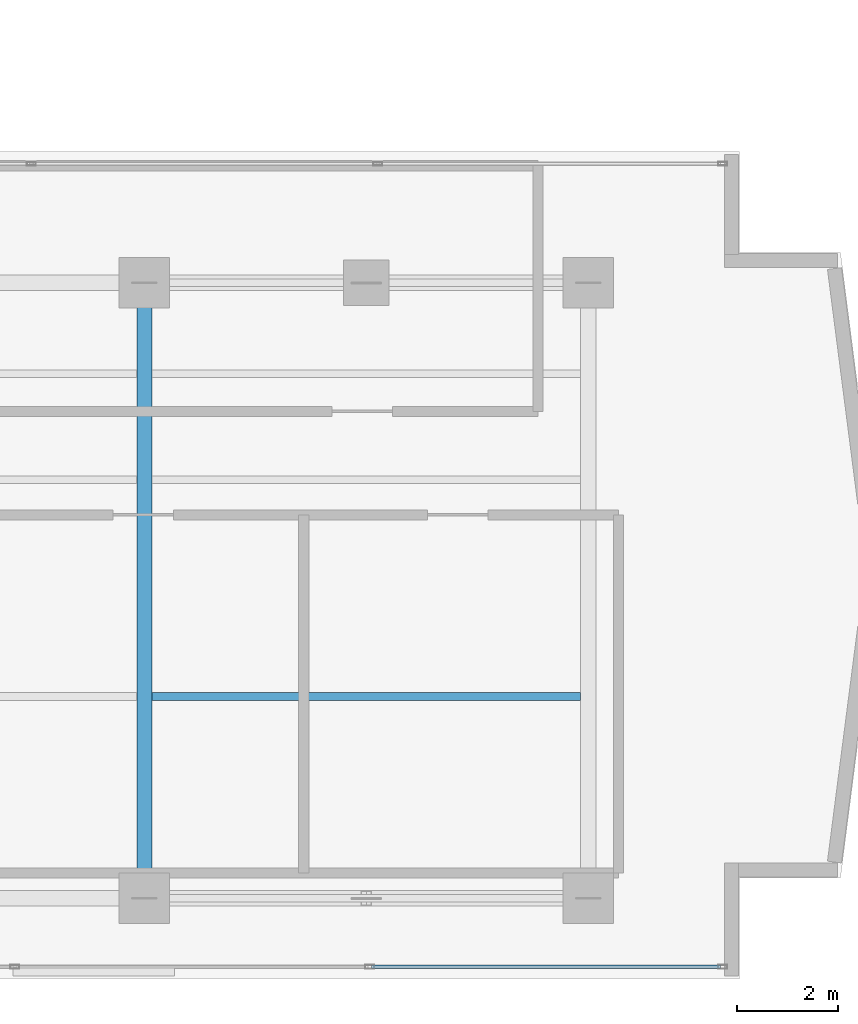
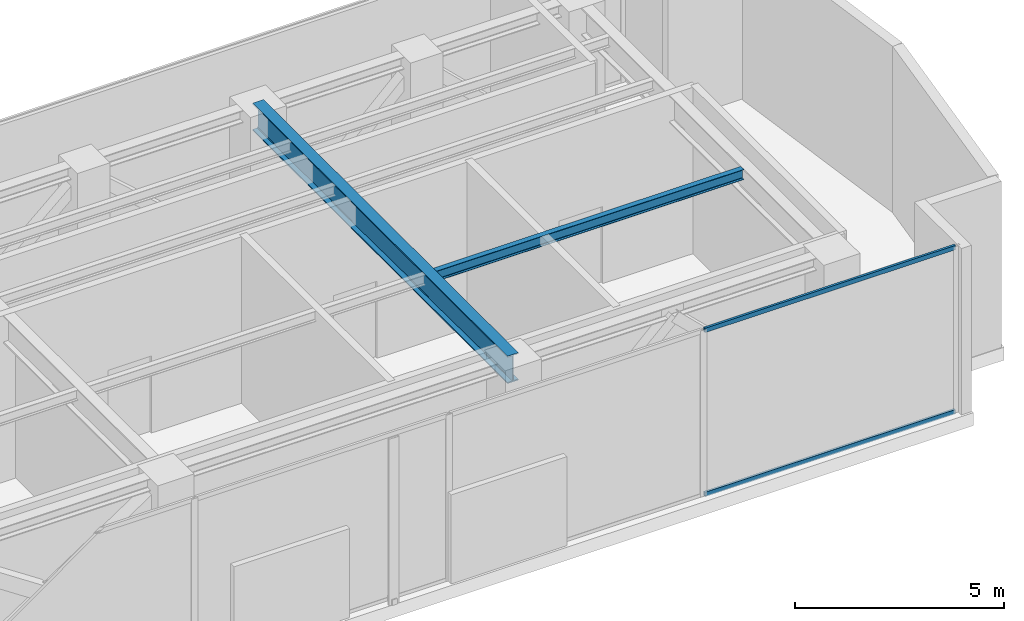
# One storey, part 16 of 31: 2 beams, 2 members, 1 element without a shape of its own.
"""IFC4 building model written with IfcOpenShell, lengths in metres."""

from ifc_helpers import new_model, si_unit, direction, frame, origin, origin_with_axes, origin_2d, place, context, subcontext, project, spatial, hollow_rectangle, i_section, extrude, source, transform, mapped, material, layer, layer_set, material_profile, profile_set, type_object, element, aggregate, save


model = new_model("IFC4")

# Units and contexts
model_context = context("Model", 3, precision=1e-05, world=origin(), true_north=direction((0.0, 1.0)))
body_context = subcontext(model_context, "Body", "Model", "MODEL_VIEW")
ifc_project = project(units=[si_unit("LENGTHUNIT", "METRE"), si_unit("AREAUNIT", "SQUARE_METRE"), si_unit("VOLUMEUNIT", "CUBIC_METRE"), si_unit("PLANEANGLEUNIT", "RADIAN"), si_unit("MASSUNIT", "GRAM", prefix="KILO")], contexts=[model_context])

# Site, building, storey
site_placement = place(None, origin())
site = spatial("IfcSite", under=ifc_project, at=site_placement, CompositionType="ELEMENT")
building_placement = place(site_placement, origin())
building = spatial("IfcBuilding", under=site, at=building_placement, Name="Kolvaren Waterfront Exchange", CompositionType="ELEMENT")
storey_placement = place(building_placement, frame((0.0, 0.0, 257.699951171875)))
storey = spatial("IfcBuildingStorey", under=building, at=storey_placement, Name="L66", CompositionType="ELEMENT", Elevation=257.699951171875)

# Beams
ifc_material_1 = material(Name="Steel S355", Category="steel")
ifc_material_profile_1 = material_profile(ifc_material_1, i_section(OverallWidth=0.300048828125, OverallDepth=0.800048828125, WebThickness=0.017578125, FlangeThickness=0.032958984375, FilletRadius=0.030029296875, at=origin_2d()), Name="HEB800")
ifc_profile_set_1 = profile_set([ifc_material_profile_1], Name="Steel S355")
beam_type_1 = type_object("IfcBeamType", Name="STR-BM-HEB800", PredefinedType="BEAM", material=ifc_profile_set_1)
beam_1_placement = place(storey_placement, frame((36.800048828125, 5.199951171875, 4.4599609375), z_axis=(0.0, 1.0, 0.0), x_axis=(-1.0, 0.0, 0.0)))
element("IfcBeam", 1, at=beam_1_placement, inside=storey, type_object=beam_type_1, Name="L66 east-arm transverse girder X36", PredefinedType="BEAM", context=body_context, shape_type="SweptSolid", body=[
    extrude(i_section(OverallWidth=0.300048828125, OverallDepth=0.800048828125, WebThickness=0.017578125, FlangeThickness=0.032958984375, FilletRadius=0.030029296875, at=origin_2d()), origin(), (0.0, 0.0, 1.0), 12.199951171875),
])
ifc_material_profile_2 = material_profile(ifc_material_1, i_section(OverallWidth=0.14990234375, OverallDepth=0.300048828125, WebThickness=0.007080078125, FlangeThickness=0.0107421875, FilletRadius=0.014892578125, at=origin_2d()), Name="IPE300")
ifc_profile_set_2 = profile_set([ifc_material_profile_2], Name="Steel S355")
beam_type_2 = type_object("IfcBeamType", Name="STR-BM-IPE300", PredefinedType="JOIST", material=ifc_profile_set_2)
beam_2_placement = place(storey_placement, frame((36.951904296875, 9.199951171875, 4.7099609375), z_axis=(1.0, 0.0, 0.0), x_axis=(0.0, 1.0, 0.0)))
element("IfcBeam", 2, at=beam_2_placement, inside=storey, type_object=beam_type_2, Name="L66 east-arm composite joist 3B", PredefinedType="JOIST", context=body_context, shape_type="SweptSolid", body=[
    extrude(i_section(OverallWidth=0.14990234375, OverallDepth=0.300048828125, WebThickness=0.007080078125, FlangeThickness=0.0107421875, FilletRadius=0.014892578125, at=origin_2d()), origin(), (0.0, 0.0, 1.0), 8.49609375),
])

# Curtain wall, members
ifc_material_2 = material(Name="Anodised dark bronze spandrel aluminium", Category="aluminium")
ifc_layer = layer(ifc_material_2, 0.219970703125, Name="Anodised dark bronze spandrel aluminium")
ifc_layer_set = layer_set([ifc_layer], Name="Anodised dark bronze spandrel aluminium")
curtain_wall_type = type_object("IfcCurtainWallType", Name="ARC-CW-SYS6", PredefinedType="USERDEFINED", material=ifc_layer_set)
curtain_wall_placement = place(storey_placement, origin())
curtain_wall = element("IfcCurtainWall", 3, at=curtain_wall_placement, inside=storey, type_object=curtain_wall_type, Name="L66 stick curtain wall CW6 (CW-L66-S)", ObjectType="STICK CURTAIN WALL", PredefinedType="USERDEFINED")
ifc_material_3 = material(Name="Anodised bronze aluminium 6063-T6", Category="aluminium")
ifc_material_profile_3 = material_profile(ifc_material_3, hollow_rectangle(XDim=0.06494140625, YDim=0.1298828125, WallThickness=0.00390625, at=origin_2d()), Name="ALU-TRN-130x65x4")
ifc_profile_set_3 = profile_set([ifc_material_profile_3], Name="Anodised bronze aluminium 6063-T6")
member_type = type_object("IfcMemberType", Name="ARC-CWT-130", PredefinedType="USERDEFINED", material=ifc_profile_set_3)
shared_shape = source(origin_with_axes(), body_context, "Body", "SweptSolid", [
    extrude(hollow_rectangle(XDim=0.06494140625, YDim=0.1298828125, WallThickness=0.00390625, at=origin_2d()), origin(), (0.0, 0.0, 1.0), 6.9208984375),
])
member_1_placement = place(storey_placement, frame((41.30419921875, 3.840087890625, 0.032470703125), z_axis=(1.0, 0.0, 0.0), x_axis=(0.0, 1.0, 0.0)))
member_1 = element("IfcMember", 4, at=member_1_placement, type_object=member_type, Name="CW6 transom 6.1", ObjectType="TRANSOM", PredefinedType="USERDEFINED", context=body_context, shape_type="MappedRepresentation", body=[
    mapped(shared_shape, transform((0.0, 0.0, 0.0), x_axis=(1.0, 0.0, 0.0), y_axis=(0.0, 1.0, 0.0), z_axis=(0.0, 0.0, 1.0), scale=1.0)),
])
member_2_placement = place(storey_placement, frame((41.30419921875, 3.840087890625, 4.82763671875), z_axis=(1.0, 0.0, 0.0), x_axis=(0.0, 1.0, 0.0)))
member_2 = element("IfcMember", 5, at=member_2_placement, type_object=member_type, Name="CW6 transom 6.2", ObjectType="TRANSOM", PredefinedType="USERDEFINED", context=body_context, shape_type="MappedRepresentation", body=[
    mapped(shared_shape, transform((0.0, 0.0, 0.0), x_axis=(1.0, 0.0, 0.0), y_axis=(0.0, 1.0, 0.0), z_axis=(0.0, 0.0, 1.0), scale=1.0)),
])
aggregate(curtain_wall, [member_1, member_2])

save(model, "model.ifc")
